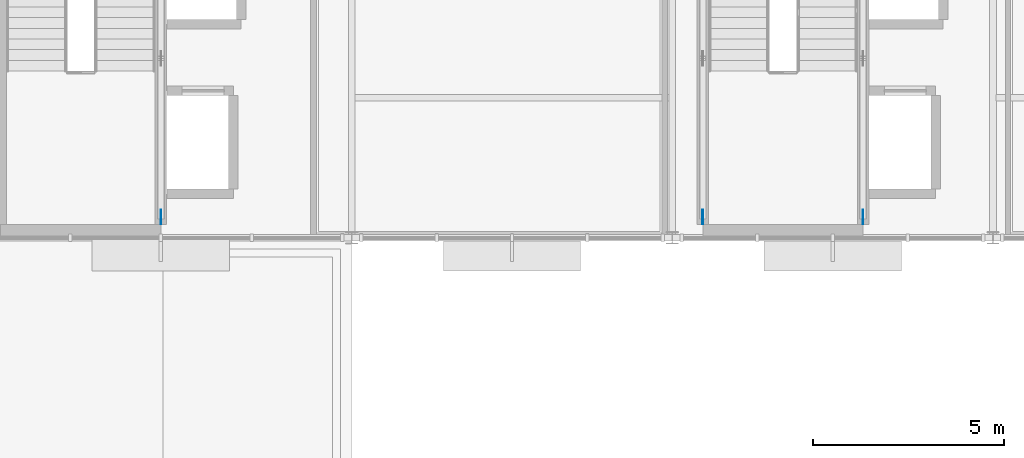
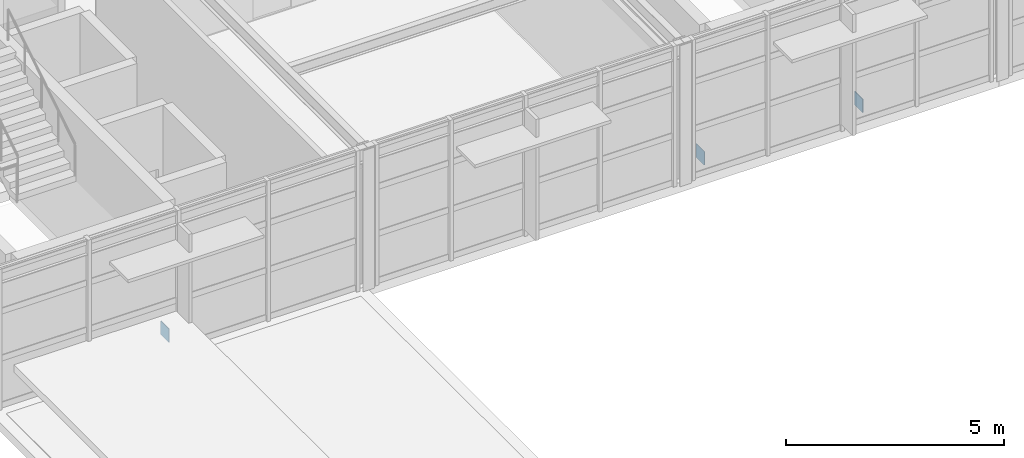
# One storey, part 13 of 21: 3 plates.
"""IFC4 building model written with IfcOpenShell, lengths in metres."""

import ifcopenshell
import ifcopenshell.guid

model = None  # the IFC model being written
_history = None  # IfcOwnerHistory: only IFC2X3 demands one
_inside = {}  # id of a spatial element -> (the spatial element, [elements in it])
_under = {}  # id of a project, library or spatial element -> (it, [spatial elements below it])
_declared = {}  # id of a project -> (the project, [libraries it declares])
_typed = {}  # id of a type object -> (the type object, [elements of that type])
_made_of = {}  # id of a material, layer set ... -> (it, [elements and type objects made of it])


def new_model(schema):
    """Start an empty IFC model of exactly this schema.

    Asked for "IFC4X3", IfcOpenShell would pick the latest addendum, in which some entities
    have other attributes; the version numbers below select the first issue.
    IFC2X3 requires an IfcOwnerHistory on every rooted entity: one is made here for all.
    """
    global model, _history
    if schema == "IFC4X3":
        model = ifcopenshell.file(schema_version=(4, 3, 0, 0))
    else:
        model = ifcopenshell.file(schema=schema)
    _inside.clear()
    _under.clear()
    _declared.clear()
    _typed.clear()
    _made_of.clear()
    _history = None
    if model.schema == "IFC2X3":
        org = make("IfcOrganization", Name="unknown")
        user = make(
            "IfcPersonAndOrganization",
            ThePerson=make("IfcPerson", FamilyName="unknown"),
            TheOrganization=org,
        )
        app = make(
            "IfcApplication",
            ApplicationDeveloper=org,
            Version="unknown",
            ApplicationFullName="unknown",
            ApplicationIdentifier="unknown",
        )
        _history = make(
            "IfcOwnerHistory",
            OwningUser=user,
            OwningApplication=app,
            ChangeAction="ADDED",
            CreationDate=0,
        )
    return model


def make(cls, **values):
    """One entity of the class cls with the attributes given. An attribute that is None is left unset."""
    return model.create_entity(
        cls, **{name: value for name, value in values.items() if value is not None}
    )


def rooted(cls, **values):
    """An entity with a GlobalId (a new one), such as an element, a storey or a relation."""
    return make(cls, GlobalId=ifcopenshell.guid.new(), OwnerHistory=_history, **values)


def si_unit(unit_type, name, prefix=None):
    """IfcSIUnit, for example si_unit("LENGTHUNIT", "METRE", prefix="MILLI")."""
    return make("IfcSIUnit", UnitType=unit_type, Prefix=prefix, Name=name)


def assignment(units):
    """IfcUnitAssignment: the units of a project."""
    return None if units is None else make("IfcUnitAssignment", Units=units)


def point(xyz):
    """IfcCartesianPoint."""
    return None if xyz is None else make("IfcCartesianPoint", Coordinates=xyz)


def direction(xyz):
    """IfcDirection."""
    return None if xyz is None else make("IfcDirection", DirectionRatios=xyz)


def frame(location, z_axis=None, x_axis=None):
    """IfcAxis2Placement3D, a coordinate frame: its origin and axes. An axis left out is left unset."""
    return make(
        "IfcAxis2Placement3D",
        Location=point(location),
        Axis=direction(z_axis),
        RefDirection=direction(x_axis),
    )


def frame_2d(location, x_axis=None):
    """IfcAxis2Placement2D, a coordinate frame in the plane: its origin and x axis."""
    return make(
        "IfcAxis2Placement2D", Location=point(location), RefDirection=direction(x_axis)
    )


def origin():
    """The frame at (0, 0, 0) with its axes left unset."""
    return frame((0.0, 0.0, 0.0))


def origin_2d():
    """The frame at (0, 0) in the plane with its x axis left unset."""
    return frame_2d((0.0, 0.0))


def place(relative_to, where):
    """IfcLocalPlacement: puts the frame where relative to a parent placement (None: the world)."""
    return make(
        "IfcLocalPlacement", PlacementRelTo=relative_to, RelativePlacement=where
    )


def context(
    kind, dimensions, precision=None, world=None, true_north=None, identifier=None
):
    """IfcGeometricRepresentationContext, for example the 3D "Model" context."""
    return make(
        "IfcGeometricRepresentationContext",
        ContextIdentifier=identifier,
        ContextType=kind,
        CoordinateSpaceDimension=dimensions,
        Precision=precision,
        WorldCoordinateSystem=world,
        TrueNorth=true_north,
    )


def subcontext(parent, identifier, kind, view, scale=None):
    """IfcGeometricRepresentationSubContext, for example "Body" below "Model"."""
    return make(
        "IfcGeometricRepresentationSubContext",
        ContextIdentifier=identifier,
        ContextType=kind,
        ParentContext=parent,
        TargetScale=scale,
        TargetView=view,
    )


def project(units=None, contexts=None):
    """IfcProject with its units and contexts."""
    return rooted(
        "IfcProject",
        Name="project",
        RepresentationContexts=contexts,
        UnitsInContext=assignment(units),
    )


def spatial(cls, under=None, at=None, **own):
    """A site, building, storey or space (cls), placed at a placement, below another one or the project."""
    s = rooted(cls, ObjectPlacement=at, **own)
    if under is not None:
        _under.setdefault(under.id(), (under, []))[1].append(s)
    return s


def profile(cls, at=None, kind="AREA", **sizes):
    """A parametric profile (cls). Its sizes go by their IFC names, for example OverallWidth=200.0."""
    return make(cls, ProfileType=kind, Position=at, **sizes)


def rectangle(**sizes):
    """IfcRectangleProfileDef."""
    return profile("IfcRectangleProfileDef", **sizes)


def extrude(swept, where, along, depth):
    """IfcExtrudedAreaSolid: the profile swept, set in the frame where, extruded along a direction by depth."""
    return make(
        "IfcExtrudedAreaSolid",
        SweptArea=swept,
        Position=where,
        ExtrudedDirection=direction(along),
        Depth=depth,
    )


def shape(context_of_items, identifier, shape_type, items):
    """IfcShapeRepresentation: the items that make up one representation, for example the "Body"."""
    return make(
        "IfcShapeRepresentation",
        ContextOfItems=context_of_items,
        RepresentationIdentifier=identifier,
        RepresentationType=shape_type,
        Items=items,
    )


def material(Name=None, Category=None):
    """IfcMaterial."""
    return make("IfcMaterial", Name=Name, Category=Category)


def layer(
    of_material, thickness, ventilated=None, Name=None, Category=None, Priority=None
):
    """IfcMaterialLayer: one layer of a wall or slab, of a material (None: an air gap)."""
    return make(
        "IfcMaterialLayer",
        Material=of_material,
        LayerThickness=thickness,
        IsVentilated=ventilated,
        Name=Name,
        Category=Category,
        Priority=Priority,
    )


def layer_set(layers, Name=None):
    """IfcMaterialLayerSet."""
    return make("IfcMaterialLayerSet", MaterialLayers=layers, LayerSetName=Name)


def made_of(thing, what):
    """Note that an element or type object is made of a material, layer set ...; save() writes the relation."""
    if what is not None:
        _made_of.setdefault(what.id(), (what, []))[1].append(thing)
    return thing


def type_object(cls, material=None, **own):
    """A type object (cls), such as IfcWallType, which elements share."""
    return made_of(rooted(cls, **own), material)


def element(
    cls,
    number,
    at=None,
    inside=None,
    cuts=None,
    type_object=None,
    material=None,
    context=None,
    identifier="Body",
    shape_type=None,
    held_by="IfcProductDefinitionShape",
    body=None,
    shapes=None,
    **own,
):
    """One element of the class cls, such as IfcWall. Its Tag is "e" and its number.

    at: its placement. inside: the storey or other place that contains it. cuts: it is an
    opening in that element (IfcRelVoidsElement). A single representation is given by context,
    identifier, shape_type and body (its items); several are given by shapes. held_by: the class
    of the entity that holds the representations. save() writes the other relations.
    """
    e = rooted(cls, Tag="e%d" % number, ObjectPlacement=at, **own)
    if body is not None:
        shapes = [shape(context, identifier, shape_type, body)]
    if shapes is not None:
        e.Representation = make(held_by, Representations=shapes)
    if inside is not None:
        _inside.setdefault(inside.id(), (inside, []))[1].append(e)
    if cuts is not None:
        rooted(
            "IfcRelVoidsElement", RelatingBuildingElement=cuts, RelatedOpeningElement=e
        )
    if type_object is not None:
        _typed.setdefault(type_object.id(), (type_object, []))[1].append(e)
    return made_of(e, material)


def aggregate(whole, parts):
    """IfcRelAggregates: a whole, such as a stair, and the parts it consists of."""
    return rooted("IfcRelAggregates", RelatingObject=whole, RelatedObjects=parts)


def save(model, path):
    """Write the relations noted so far, then the file.

    IfcRelAggregates (storeys below a building ...), IfcRelContainedInSpatialStructure (elements
    in a storey), IfcRelDefinesByType, IfcRelAssociatesMaterial and IfcRelDeclares: one each for
    every whole, place, type object, material and project.
    """
    for whole, parts in _under.values():
        aggregate(whole, parts)
    for where, things in _inside.values():
        rooted(
            "IfcRelContainedInSpatialStructure",
            RelatedElements=things,
            RelatingStructure=where,
        )
    for kind, things in _typed.values():
        rooted("IfcRelDefinesByType", RelatedObjects=things, RelatingType=kind)
    for what, things in _made_of.values():
        rooted("IfcRelAssociatesMaterial", RelatedObjects=things, RelatingMaterial=what)
    for by, libraries in _declared.values():
        rooted("IfcRelDeclares", RelatingContext=by, RelatedDefinitions=libraries)
    model.write(path)


model = new_model("IFC4")

# Units and contexts
model_context = context("Model", 3, precision=1e-05, world=origin(), true_north=direction((0.0, 1.0)))
body_context = subcontext(model_context, "Body", "Model", "MODEL_VIEW")
ifc_project = project(units=[si_unit("LENGTHUNIT", "METRE"), si_unit("AREAUNIT", "SQUARE_METRE"), si_unit("VOLUMEUNIT", "CUBIC_METRE"), si_unit("PLANEANGLEUNIT", "RADIAN"), si_unit("MASSUNIT", "GRAM", prefix="KILO")], contexts=[model_context])

# Site, building, storey
site_placement = place(None, origin())
site = spatial("IfcSite", under=ifc_project, at=site_placement, CompositionType="ELEMENT")
building_placement = place(site_placement, origin())
building = spatial("IfcBuilding", under=site, at=building_placement, Name="Sitalva Quay Ferry Terminal", CompositionType="ELEMENT")
storey_placement = place(building_placement, frame((0.0, 0.0, 14.39990234375)))
storey = spatial("IfcBuildingStorey", under=building, at=storey_placement, Name="L04", CompositionType="ELEMENT", Elevation=14.39990234375)

# Plates
ifc_material = material(Name="Structural Steel S355JR", Category="steel")
ifc_layer = layer(ifc_material, 0.01806640625)
ifc_layer_set = layer_set([ifc_layer], Name="Structural Steel S355JR")
plate_type = type_object("IfcPlateType", Name="Gusset_380x380x18", PredefinedType="USERDEFINED", material=ifc_layer_set)
for number, where, z_axis, x_axis, name in (
    (1, (79.0, 78.550048828125, -0.039794921875), (0.0, 0.0, 1.0), (1.0, 0.0, 0.0), "Braced frame BF2 L04 BASE-A gusset"),
    (2, (97.39990234375, 78.550048828125, -0.039794921875), (0.0, 0.0, 1.0), (1.0, 0.0, 0.0), "Braced frame BF3 L04 BASE-A gusset"),
    (3, (93.199951171875, 78.550048828125, -0.039794921875), (0.0, 0.0, 1.0), (1.0, 0.0, 0.0), "Braced frame BF6 L04 BASE-A gusset"),
):
    element("IfcPlate", number, at=place(storey_placement, frame(where, z_axis=z_axis, x_axis=x_axis)), inside=storey, type_object=plate_type, Name=name, ObjectType="FLANGE_PLATE", PredefinedType="USERDEFINED", context=body_context, shape_type="SweptSolid", body=[
        extrude(rectangle(XDim=0.01806640625, YDim=0.3798828125, at=origin_2d()), origin(), (0.0, 0.0, 1.0), 0.3798828125),
    ])

save(model, "model.ifc")
